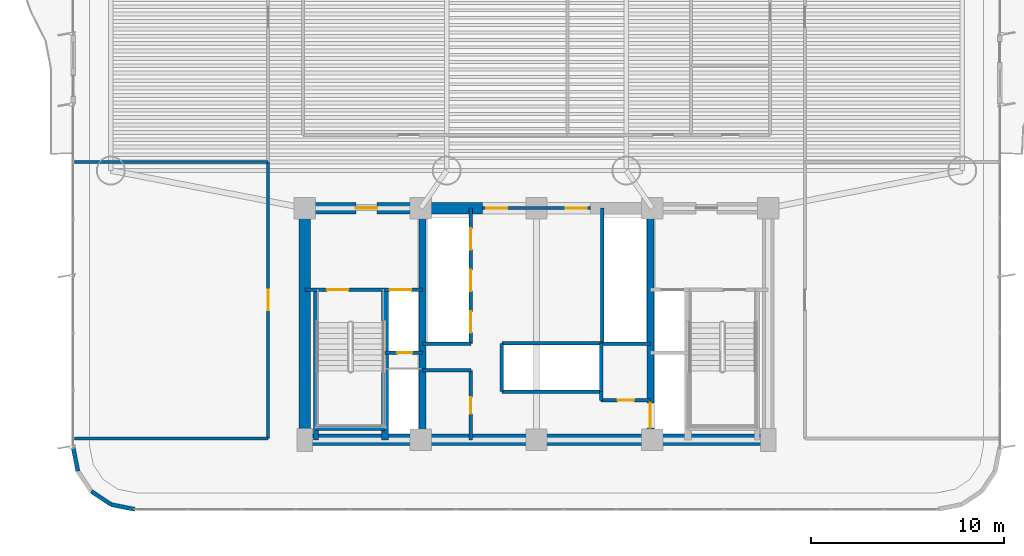
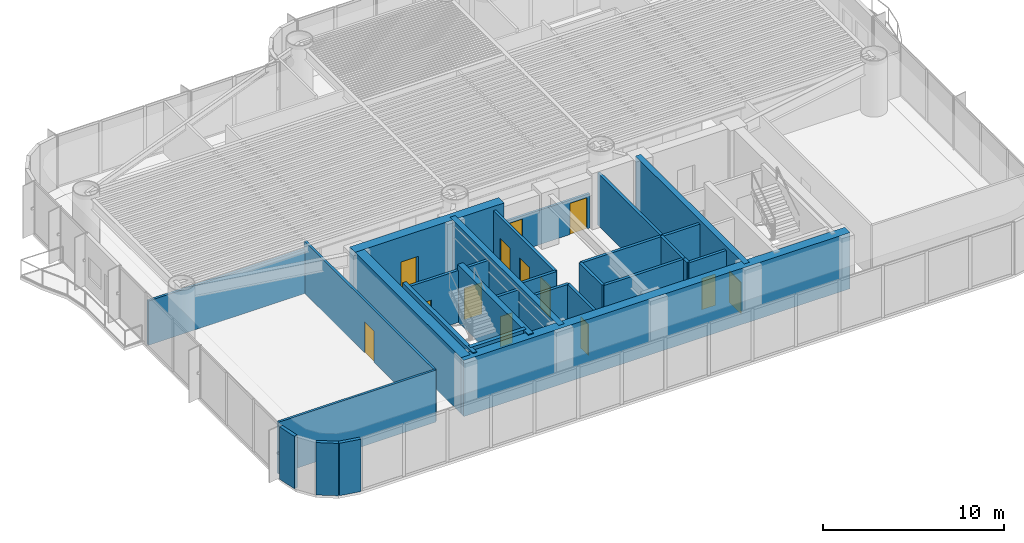
# One storey, part 10 of 16: 29 walls, 13 doors, 13 openings.
"""IFC4 building model written with IfcOpenShell, lengths in metres."""

from ifc_helpers import new_model, si_unit, direction, frame, frame_2d, origin, origin_2d, place, context, subcontext, project, spatial, rectangle, extrude, source, transform, mapped, material, layer, layer_set, type_object, element, fill, save


model = new_model("IFC4")

# Units and contexts
model_context = context("Model", 3, precision=1e-05, world=origin(), true_north=direction((0.0, 1.0)))
body_context = subcontext(model_context, "Body", "Model", "MODEL_VIEW")
ifc_project = project(units=[si_unit("LENGTHUNIT", "METRE"), si_unit("AREAUNIT", "SQUARE_METRE"), si_unit("VOLUMEUNIT", "CUBIC_METRE"), si_unit("PLANEANGLEUNIT", "RADIAN"), si_unit("MASSUNIT", "GRAM", prefix="KILO")], contexts=[model_context])

# Site, building, storey
site_placement = place(None, origin())
site = spatial("IfcSite", under=ifc_project, at=site_placement, CompositionType="ELEMENT")
building_placement = place(site_placement, origin())
building = spatial("IfcBuilding", under=site, at=building_placement, Name="Brelvock Crest Care Tower", CompositionType="ELEMENT")
storey_placement = place(building_placement, frame((0.0, 0.0, 61.02001953125)))
storey = spatial("IfcBuildingStorey", under=building, at=storey_placement, Name="L15", CompositionType="ELEMENT", Elevation=61.02001953125)

# Walls
ifc_material_1 = material(Name="Concrete S80 (80 MPa)", Category="concrete")
ifc_layer_1 = layer(ifc_material_1, 0.60009765625, Name="WL-CS1")
ifc_layer_set_1 = layer_set([ifc_layer_1], Name="Concrete S80 (80 MPa)")
wall_type_1 = type_object("IfcWallType", Name="WL-CS1", PredefinedType="SHEAR", material=ifc_layer_set_1)
wall_1_placement = place(storey_placement, frame((48.300048828125, 6.0, 0.0), z_axis=(0.0, 0.0, 1.0), x_axis=(-1.0, 0.0, 0.0)))
element("IfcWall", 1, at=wall_1_placement, inside=storey, type_object=wall_type_1, Name="L15 Core South Shear Wall", PredefinedType="SHEAR", context=body_context, shape_type="SweptSolid", body=[
    extrude(rectangle(XDim=24.60009765625, YDim=0.60009765625, at=frame_2d((12.300048828125, 0.0))), origin(), (0.0, 0.0, 1.0), 3.780029296875),
])
wall_2_placement = place(storey_placement, frame((24.0, 6.0, 0.0), z_axis=(0.0, 0.0, 1.0), x_axis=(0.0, 1.0, 0.0)))
element("IfcWall", 2, at=wall_2_placement, inside=storey, type_object=wall_type_1, Name="L15 Core West Shear Wall", PredefinedType="SHEAR", context=body_context, shape_type="SweptSolid", body=[
    extrude(rectangle(XDim=12.0, YDim=0.60009765625, at=frame_2d((6.0, 0.0))), origin(), (0.0, 0.0, 1.0), 3.780029296875),
])

# Wall, opening, door
wall_3_placement = place(storey_placement, frame((23.699951171875, 18.0, 0.0), z_axis=(0.0, 0.0, 1.0), x_axis=(1.0, 0.0, 0.0)))
wall_3 = element("IfcWall", 3, at=wall_3_placement, inside=storey, type_object=wall_type_1, Name="L15 Core North-West Shear Wall", PredefinedType="SHEAR", context=body_context, shape_type="SweptSolid", body=[
    extrude(rectangle(XDim=9.5, YDim=0.60009765625, at=frame_2d((4.75, 0.0))), origin(), (0.0, 0.0, 1.0), 3.780029296875),
])
opening_1_placement = place(wall_3_placement, frame((2.949951171875, 0.0, 0.0)))
opening_1 = element("IfcOpeningElement", 4, at=opening_1_placement, cuts=wall_3, Name="Opening FD-1", PredefinedType="OPENING", context=body_context, shape_type="SweptSolid", body=[
    extrude(rectangle(XDim=1.10009765625, YDim=2.10009765625, at=origin_2d()), frame((0.550048828125, 0.31005859375, 1.050048828125), z_axis=(0.0, -1.0, 0.0), x_axis=(1.0, 0.0, 0.0)), (0.0, 0.0, 1.0), 0.6201171875),
])
ifc_material_2 = material(Name="Steel Grade 350", Category="steel")
door_type_1 = type_object("IfcDoorType", Name="DR-FFL1", OperationType="NOTDEFINED", PredefinedType="DOOR", material=ifc_material_2)
shared_shape_1 = source(origin(), body_context, "Body", "SweptSolid", [
    extrude(rectangle(XDim=1.10009765625, YDim=2.10009765625, at=origin_2d()), frame((0.550048828125, 0.02490234375, 1.050048828125), z_axis=(0.0, -1.0, 0.0), x_axis=(1.0, 0.0, 0.0)), (0.0, 0.0, 1.0), 0.050048828125),
])
door_1_placement = place(opening_1_placement, origin())
door_1 = element("IfcDoor", 5, at=door_1_placement, inside=storey, type_object=door_type_1, Name="L15 Firefighting Lobby FFL-1 Exit Door", OperationType="SINGLE_SWING_LEFT", OverallHeight=2.10009765625, OverallWidth=1.10009765625, PredefinedType="DOOR", context=body_context, shape_type="MappedRepresentation", body=[
    mapped(shared_shape_1, transform((0.0, 0.0, 0.0), x_axis=(1.0, 0.0, 0.0), y_axis=(0.0, 1.0, 0.0), z_axis=(0.0, 0.0, 1.0), scale=1.0)),
])
fill(opening_1, door_1)

# Wall
ifc_layer_2 = layer(ifc_material_1, 0.35009765625, Name="WL-CS5")
ifc_layer_set_2 = layer_set([ifc_layer_2], Name="Concrete S80 (80 MPa)")
wall_type_2 = type_object("IfcWallType", Name="WL-CS5", PredefinedType="SHEAR", material=ifc_layer_set_2)
wall_4_placement = place(storey_placement, frame((30.10009765625, 6.0, 0.0), z_axis=(0.0, 0.0, 1.0), x_axis=(0.0, 1.0, 0.0)))
element("IfcWall", 6, at=wall_4_placement, inside=storey, type_object=wall_type_2, Name="L15 Core Internal Web Wall West", PredefinedType="SHEAR", context=body_context, shape_type="SweptSolid", body=[
    extrude(rectangle(XDim=12.0, YDim=0.35009765625, at=frame_2d((6.0, 0.0))), origin(), (0.0, 0.0, 1.0), 3.780029296875),
])

# Wall, opening, door
wall_5_placement = place(storey_placement, frame((41.89990234375, 18.0, 0.0), z_axis=(0.0, 0.0, 1.0), x_axis=(0.0, -1.0, 0.0)))
wall_5 = element("IfcWall", 7, at=wall_5_placement, inside=storey, type_object=wall_type_2, Name="L15 Core Internal Web Wall East", PredefinedType="SHEAR", context=body_context, shape_type="SweptSolid", body=[
    extrude(rectangle(XDim=12.0, YDim=0.35009765625, at=frame_2d((6.0, 0.0))), origin(), (0.0, 0.0, 1.0), 3.780029296875),
])
opening_2_placement = place(wall_5_placement, frame((10.080078125, 0.0, 0.0)))
opening_2 = element("IfcOpeningElement", 8, at=opening_2_placement, cuts=wall_5, Name="Opening LD-S", PredefinedType="OPENING", context=body_context, shape_type="SweptSolid", body=[
    extrude(rectangle(XDim=1.300048828125, YDim=2.10009765625, at=origin_2d()), frame((0.64990234375, 0.18505859375, 1.050048828125), z_axis=(0.0, -1.0, 0.0), x_axis=(1.0, 0.0, 0.0)), (0.0, 0.0, 1.0), 0.3701171875),
])
door_type_2 = type_object("IfcDoorType", Name="DR-LDS1", OperationType="NOTDEFINED", PredefinedType="DOOR", material=ifc_material_2)
shared_shape_2 = source(origin(), body_context, "Body", "SweptSolid", [
    extrude(rectangle(XDim=1.300048828125, YDim=2.10009765625, at=origin_2d()), frame((0.64990234375, 0.02490234375, 1.050048828125), z_axis=(0.0, -1.0, 0.0), x_axis=(1.0, 0.0, 0.0)), (0.0, 0.0, 1.0), 0.050048828125),
])
door_2_placement = place(opening_2_placement, origin())
door_2 = element("IfcDoor", 9, at=door_2_placement, inside=storey, type_object=door_type_2, Name="L15 Clinical Bed Lift SL-1 Landing Door", OperationType="SLIDING_TO_LEFT", OverallHeight=2.10009765625, OverallWidth=1.300048828125, PredefinedType="DOOR", context=body_context, shape_type="MappedRepresentation", body=[
    mapped(shared_shape_2, transform((0.0, 0.0, 0.0), x_axis=(1.0, 0.0, 0.0), y_axis=(0.0, 1.0, 0.0), z_axis=(0.0, 0.0, 1.0), scale=1.0)),
])
fill(opening_2, door_2)

# Walls
wall_6_placement = place(storey_placement, frame((28.14990234375, 6.0, 0.0), z_axis=(0.0, 0.0, 1.0), x_axis=(0.0, 1.0, 0.0)))
element("IfcWall", 10, at=wall_6_placement, inside=storey, type_object=wall_type_2, Name="L15 Core Stair ST-1 East Shear Wall", PredefinedType="SHEAR", context=body_context, shape_type="SweptSolid", body=[
    extrude(rectangle(XDim=7.780029296875, YDim=0.35009765625, at=frame_2d((3.89013671875, 0.0))), origin(), (0.0, 0.0, 1.0), 3.85009765625),
])
ifc_layer_3 = layer(ifc_material_1, 0.25, Name="WL-CS6")
ifc_layer_set_3 = layer_set([ifc_layer_3], Name="Concrete S80 (80 MPa)")
wall_type_3 = type_object("IfcWallType", Name="WL-CS6", PredefinedType="SHEAR", material=ifc_layer_set_3)
wall_7_placement = place(storey_placement, frame((24.580078125, 6.0, 0.0), z_axis=(0.0, 0.0, 1.0), x_axis=(0.0, 1.0, 0.0)))
element("IfcWall", 11, at=wall_7_placement, inside=storey, type_object=wall_type_3, Name="L15 Core Stair ST-1 West Shear Wall", PredefinedType="SHEAR", context=body_context, shape_type="SweptSolid", body=[
    extrude(rectangle(XDim=7.780029296875, YDim=0.25, at=frame_2d((3.89013671875, 0.0))), origin(), (0.0, 0.0, 1.0), 3.85009765625),
])
wall_8_placement = place(storey_placement, frame((24.580078125, 6.6201171875, 0.0), z_axis=(0.0, 0.0, 1.0), x_axis=(1.0, 0.0, 0.0)))
element("IfcWall", 12, at=wall_8_placement, inside=storey, type_object=wall_type_3, Name="L15 Core Stair ST-1 South Shear Wall", PredefinedType="SHEAR", context=body_context, shape_type="SweptSolid", body=[
    extrude(rectangle(XDim=3.56982421875, YDim=0.25, at=frame_2d((1.784912109375, 0.0))), origin(), (0.0, 0.0, 1.0), 3.85009765625),
])
ifc_material_3 = material(Name="Precast concrete N40 (40 MPa)", Category="concrete")
ifc_layer_4 = layer(ifc_material_3, 0.215087890625, Name="WL-EX2")
ifc_layer_set_4 = layer_set([ifc_layer_4], Name="Precast concrete N40 (40 MPa)")
wall_type_4 = type_object("IfcWallType", Name="WL-EX2", PredefinedType="SOLIDWALL", material=ifc_layer_set_4)
for number, where, z_axis, x_axis, name in (
    (13, (15.199951171875, 2.39990234375, 0.0), (0.0, 0.0, 1.0), (-0.980775717779, 0.195138390419, 0.0), "L15 Rounded Corner Wall 09"),
    (14, (13.975341796875, 2.6435546875, 0.0), (0.0, 0.0, 1.0), (-0.831387912822, 0.555692485475, 0.0), "L15 Rounded Corner Wall 10"),
    (15, (12.24365234375, 4.37548828125, 0.0), (0.0, 0.0, 1.0), (-0.195138390419, 0.980775717779, 0.0), "L15 Rounded Corner Wall 12"),
):
    element("IfcWall", number, at=place(storey_placement, frame(where, z_axis=z_axis, x_axis=x_axis)), inside=storey, type_object=wall_type_4, Name=name, PredefinedType="SOLIDWALL", context=body_context, shape_type="SweptSolid", body=[
        extrude(rectangle(XDim=1.24853515625, YDim=0.215087890625, at=frame_2d((0.624267578125, 0.0))), origin(), (0.0, 0.0, 1.0), 3.530029296875),
    ])

# Wall, openings, doors
ifc_material_4 = material(Name="Masonry Blockwork Acoustic Partition", Category="masonry")
ifc_layer_5 = layer(ifc_material_4, 0.14990234375, Name="WL-INT1")
ifc_layer_set_5 = layer_set([ifc_layer_5], Name="Masonry Blockwork Acoustic Partition")
wall_type_5 = type_object("IfcWallType", Name="WL-INT1", PredefinedType="PARTITIONING", material=ifc_layer_set_5)
wall_9_placement = place(storey_placement, frame((33.199951171875, 18.0, 0.0), z_axis=(0.0, 0.0, 1.0), x_axis=(1.0, 0.0, 0.0)))
wall_9 = element("IfcWall", 16, at=wall_9_placement, inside=storey, type_object=wall_type_5, Name="L15 Interior Wall WL-CORE-NPORT-L15", PredefinedType="PARTITIONING", context=body_context, shape_type="SweptSolid", body=[
    extrude(rectangle(XDim=5.60009765625, YDim=0.14990234375, at=frame_2d((2.800048828125, 0.0))), origin(), (0.0, 0.0, 1.0), 2.31494140625),
])
opening_3_placement = place(wall_9_placement, frame((0.18994140625, 0.0, 0.0)))
opening_3 = element("IfcOpeningElement", 17, at=opening_3_placement, cuts=wall_9, Name="Opening FD-1", PredefinedType="OPENING", context=body_context, shape_type="SweptSolid", body=[
    extrude(rectangle(XDim=1.10009765625, YDim=2.10009765625, at=origin_2d()), frame((0.550048828125, 0.0849609375, 1.050048828125), z_axis=(0.0, -1.0, 0.0), x_axis=(1.0, 0.0, 0.0)), (0.0, 0.0, 1.0), 0.169921875),
])
opening_4_placement = place(wall_9_placement, frame((4.31005859375, 0.0, 0.0)))
opening_4 = element("IfcOpeningElement", 18, at=opening_4_placement, cuts=wall_9, Name="Opening FD-1", PredefinedType="OPENING", context=body_context, shape_type="SweptSolid", body=[
    extrude(rectangle(XDim=1.10009765625, YDim=2.10009765625, at=origin_2d()), frame((0.550048828125, 0.0849609375, 1.050048828125), z_axis=(0.0, -1.0, 0.0), x_axis=(1.0, 0.0, 0.0)), (0.0, 0.0, 1.0), 0.169921875),
])
door_3_placement = place(opening_3_placement, origin())
door_3 = element("IfcDoor", 19, at=door_3_placement, inside=storey, type_object=door_type_1, Name="L15 Lift Lobby North Smoke Door West", OperationType="SINGLE_SWING_LEFT", OverallHeight=2.10009765625, OverallWidth=1.10009765625, PredefinedType="DOOR", context=body_context, shape_type="MappedRepresentation", body=[
    mapped(shared_shape_1, transform((0.0, 0.0, 0.0), x_axis=(1.0, 0.0, 0.0), y_axis=(0.0, 1.0, 0.0), z_axis=(0.0, 0.0, 1.0), scale=1.0)),
])
fill(opening_3, door_3)
door_4_placement = place(opening_4_placement, origin())
door_4 = element("IfcDoor", 20, at=door_4_placement, inside=storey, type_object=door_type_1, Name="L15 Lift Lobby North Smoke Door East", OperationType="SINGLE_SWING_RIGHT", OverallHeight=2.10009765625, OverallWidth=1.10009765625, PredefinedType="DOOR", context=body_context, shape_type="MappedRepresentation", body=[
    mapped(shared_shape_1, transform((0.0, 0.0, 0.0), x_axis=(1.0, 0.0, 0.0), y_axis=(0.0, 1.0, 0.0), z_axis=(0.0, 0.0, 1.0), scale=1.0)),
])
fill(opening_4, door_4)

# Walls
wall_10_placement = place(storey_placement, frame((12.080078125, 6.080078125, 0.0), z_axis=(0.0, 0.0, 1.0), x_axis=(1.0, 0.0, 0.0)))
element("IfcWall", 21, at=wall_10_placement, inside=storey, type_object=wall_type_5, Name="L15 Interior Wall WL-BX-L15-WS1-S", PredefinedType="PARTITIONING", context=body_context, shape_type="SweptSolid", body=[
    extrude(rectangle(XDim=10.02001953125, YDim=0.14990234375, at=frame_2d((5.010009765625, 0.0))), origin(), (0.0, 0.0, 1.0), 3.5),
])
wall_11_placement = place(storey_placement, frame((12.080078125, 20.39990234375, 0.0), z_axis=(0.0, 0.0, 1.0), x_axis=(1.0, 0.0, 0.0)))
element("IfcWall", 22, at=wall_11_placement, inside=storey, type_object=wall_type_5, Name="L15 Interior Wall WL-BX-L15-WS1-N", PredefinedType="PARTITIONING", context=body_context, shape_type="SweptSolid", body=[
    extrude(rectangle(XDim=10.02001953125, YDim=0.14990234375, at=frame_2d((5.010009765625, 0.0))), origin(), (0.0, 0.0, 1.0), 2.98193359375),
])

# Wall, opening, door
wall_12_placement = place(storey_placement, frame((22.10009765625, 6.080078125, 0.0), z_axis=(0.0, 0.0, 1.0), x_axis=(0.0, 1.0, 0.0)))
wall_12 = element("IfcWall", 23, at=wall_12_placement, inside=storey, type_object=wall_type_5, Name="L15 Interior Wall WL-RM-L15-WS1", PredefinedType="PARTITIONING", context=body_context, shape_type="SweptSolid", body=[
    extrude(rectangle(XDim=14.31982421875, YDim=0.14990234375, at=frame_2d((7.159912109375, 0.0))), origin(), (0.0, 0.0, 1.0), 3.5),
])
opening_5_placement = place(wall_12_placement, frame((6.635009765625, 0.0, 0.0)))
opening_5 = element("IfcOpeningElement", 24, at=opening_5_placement, cuts=wall_12, Name="Opening CLD-1", PredefinedType="OPENING", context=body_context, shape_type="SweptSolid", body=[
    extrude(rectangle(XDim=1.050048828125, YDim=2.10009765625, at=origin_2d()), frame((0.52490234375, 0.0849609375, 1.050048828125), z_axis=(0.0, -1.0, 0.0), x_axis=(1.0, 0.0, 0.0)), (0.0, 0.0, 1.0), 0.169921875),
])
ifc_material_5 = material(Name="Engineered Hardwood Timber", Category="wood")
door_type_3 = type_object("IfcDoorType", Name="DR-CLN1", OperationType="NOTDEFINED", PredefinedType="DOOR", material=ifc_material_5)
shared_shape_3 = source(origin(), body_context, "Body", "SweptSolid", [
    extrude(rectangle(XDim=1.050048828125, YDim=2.10009765625, at=origin_2d()), frame((0.52490234375, 0.02490234375, 1.050048828125), z_axis=(0.0, -1.0, 0.0), x_axis=(1.0, 0.0, 0.0)), (0.0, 0.0, 1.0), 0.050048828125),
])
door_5_placement = place(opening_5_placement, origin())
door_5 = element("IfcDoor", 25, at=door_5_placement, inside=storey, type_object=door_type_3, Name="L15 Senior Creative Arts Studio Door WS1", OperationType="SINGLE_SWING_LEFT", OverallHeight=2.10009765625, OverallWidth=1.050048828125, PredefinedType="DOOR", context=body_context, shape_type="MappedRepresentation", body=[
    mapped(shared_shape_3, transform((0.0, 0.0, 0.0), x_axis=(1.0, 0.0, 0.0), y_axis=(0.0, 1.0, 0.0), z_axis=(0.0, 0.0, 1.0), scale=1.0)),
])
fill(opening_5, door_5)

# Walls
ifc_layer_6 = layer(ifc_material_4, 0.179931640625, Name="WL-SHF1")
ifc_layer_set_6 = layer_set([ifc_layer_6], Name="Masonry Blockwork Acoustic Partition")
wall_type_6 = type_object("IfcWallType", Name="WL-SHF1", PredefinedType="PARTITIONING", material=ifc_layer_set_6)
for number, where, z_axis, x_axis, name in (
    (26, (34.199951171875, 11.0, 0.0), (0.0, 0.0, 1.0), (1.0, 0.0, 0.0), "L15 Interior Wall WL-PLM-SHF-L15"),
    (27, (34.199951171875, 8.5, 0.0), (0.0, 0.0, 1.0), (1.0, 0.0, 0.0), "L15 Interior Wall WL-PLM-S-L15"),
):
    element("IfcWall", number, at=place(storey_placement, frame(where, z_axis=z_axis, x_axis=x_axis)), inside=storey, type_object=wall_type_6, Name=name, PredefinedType="PARTITIONING", context=body_context, shape_type="SweptSolid", body=[
        extrude(rectangle(XDim=5.150146484375, YDim=0.179931640625, at=frame_2d((2.5751953125, 0.0))), origin(), (0.0, 0.0, 1.0), 3.5),
    ])
for number, where, z_axis, x_axis, name in (
    (28, (34.199951171875, 8.5, 0.0), (0.0, 0.0, 1.0), (0.0, 1.0, 0.0), "L15 Interior Wall WL-PLM-W-L15"),
    (29, (39.35009765625, 8.5, 0.0), (0.0, 0.0, 1.0), (0.0, 1.0, 0.0), "L15 Interior Wall WL-PLM-E-L15"),
):
    element("IfcWall", number, at=place(storey_placement, frame(where, z_axis=z_axis, x_axis=x_axis)), inside=storey, type_object=wall_type_6, Name=name, PredefinedType="PARTITIONING", context=body_context, shape_type="SweptSolid", body=[
        extrude(rectangle(XDim=2.5, YDim=0.179931640625, at=frame_2d((1.25, 0.0))), origin(), (0.0, 0.0, 1.0), 3.5),
    ])
wall_13_placement = place(storey_placement, frame((39.39990234375, 11.0, 0.0), z_axis=(0.0, 0.0, 1.0), x_axis=(0.0, 1.0, 0.0)))
element("IfcWall", 30, at=wall_13_placement, inside=storey, type_object=wall_type_6, Name="L15 Interior Wall WL-PLH-SHF-L15", PredefinedType="PARTITIONING", context=body_context, shape_type="SweptSolid", body=[
    extrude(rectangle(XDim=7.0, YDim=0.179931640625, at=frame_2d((3.5, 0.0))), origin(), (0.0, 0.0, 1.0), 3.5),
])
for number, where, z_axis, x_axis, name in (
    (31, (30.10009765625, 10.97998046875, 0.0), (0.0, 0.0, 1.0), (1.0, 0.0, 0.0), "L15 Interior Wall WL-CSBW-N-L15"),
    (32, (30.10009765625, 9.60009765625, 0.0), (0.0, 0.0, 1.0), (1.0, 0.0, 0.0), "L15 Interior Wall WL-CSBW-S1-L15"),
):
    element("IfcWall", number, at=place(storey_placement, frame(where, z_axis=z_axis, x_axis=x_axis)), inside=storey, type_object=wall_type_6, Name=name, PredefinedType="PARTITIONING", context=body_context, shape_type="SweptSolid", body=[
        extrude(rectangle(XDim=2.5, YDim=0.179931640625, at=frame_2d((1.25, 0.0))), origin(), (0.0, 0.0, 1.0), 3.5),
    ])

# Wall, opening, door
wall_14_placement = place(storey_placement, frame((32.60009765625, 6.0, 0.0), z_axis=(0.0, 0.0, 1.0), x_axis=(0.0, 1.0, 0.0)))
wall_14 = element("IfcWall", 33, at=wall_14_placement, inside=storey, type_object=wall_type_6, Name="L15 Interior Wall WL-CSBW-E-L15", PredefinedType="PARTITIONING", context=body_context, shape_type="SweptSolid", body=[
    extrude(rectangle(XDim=3.60009765625, YDim=0.179931640625, at=frame_2d((1.800048828125, 0.0))), origin(), (0.0, 0.0, 1.0), 3.5),
])
opening_6_placement = place(wall_14_placement, frame((1.35009765625, 0.0, 0.0)))
opening_6 = element("IfcOpeningElement", 34, at=opening_6_placement, cuts=wall_14, Name="Opening ID-1", PredefinedType="OPENING", context=body_context, shape_type="SweptSolid", body=[
    extrude(rectangle(XDim=0.860107421875, YDim=2.10009765625, at=origin_2d()), frame((0.43017578125, 0.10009765625, 1.050048828125), z_axis=(0.0, -1.0, 0.0), x_axis=(1.0, 0.0, 0.0)), (0.0, 0.0, 1.0), 0.199951171875),
])
door_type_4 = type_object("IfcDoorType", Name="DR-INT1", OperationType="NOTDEFINED", PredefinedType="DOOR", material=ifc_material_5)
shared_shape_4 = source(origin(), body_context, "Body", "SweptSolid", [
    extrude(rectangle(XDim=0.860107421875, YDim=2.10009765625, at=origin_2d()), frame((0.43017578125, 0.02490234375, 1.050048828125), z_axis=(0.0, -1.0, 0.0), x_axis=(1.0, 0.0, 0.0)), (0.0, 0.0, 1.0), 0.050048828125),
])
door_6_placement = place(opening_6_placement, origin())
door_6 = element("IfcDoor", 35, at=door_6_placement, inside=storey, type_object=door_type_4, Name="DR-CSBW-L15", OperationType="SINGLE_SWING_LEFT", OverallHeight=2.10009765625, OverallWidth=0.860107421875, PredefinedType="DOOR", context=body_context, shape_type="MappedRepresentation", body=[
    mapped(shared_shape_4, transform((0.0, 0.0, 0.0), x_axis=(1.0, 0.0, 0.0), y_axis=(0.0, 1.0, 0.0), z_axis=(0.0, 0.0, 1.0), scale=1.0)),
])
fill(opening_6, door_6)

# Walls
wall_15_placement = place(storey_placement, frame((39.35009765625, 10.97998046875, 0.0), z_axis=(0.0, 0.0, 1.0), x_axis=(1.0, 0.0, 0.0)))
element("IfcWall", 36, at=wall_15_placement, inside=storey, type_object=wall_type_6, Name="L15 Interior Wall WL-CSBE-N-L15", PredefinedType="PARTITIONING", context=body_context, shape_type="SweptSolid", body=[
    extrude(rectangle(XDim=2.5498046875, YDim=0.179931640625, at=frame_2d((1.27490234375, 0.0))), origin(), (0.0, 0.0, 1.0), 3.5),
])
wall_16_placement = place(storey_placement, frame((39.35009765625, 8.050048828125, 0.0), z_axis=(0.0, 0.0, 1.0), x_axis=(0.0, 1.0, 0.0)))
element("IfcWall", 37, at=wall_16_placement, inside=storey, type_object=wall_type_6, Name="L15 Interior Wall WL-CSBE-W-L15", PredefinedType="PARTITIONING", context=body_context, shape_type="SweptSolid", body=[
    extrude(rectangle(XDim=0.449951171875, YDim=0.179931640625, at=frame_2d((0.22509765625, 0.0))), origin(), (0.0, 0.0, 1.0), 3.5),
])

# Wall, opening, door
wall_17_placement = place(storey_placement, frame((39.35009765625, 8.050048828125, 0.0), z_axis=(0.0, 0.0, 1.0), x_axis=(1.0, 0.0, 0.0)))
wall_17 = element("IfcWall", 38, at=wall_17_placement, inside=storey, type_object=wall_type_6, Name="L15 Interior Wall WL-CSBE-S-L15", PredefinedType="PARTITIONING", context=body_context, shape_type="SweptSolid", body=[
    extrude(rectangle(XDim=2.5498046875, YDim=0.179931640625, at=frame_2d((1.27490234375, 0.0))), origin(), (0.0, 0.0, 1.0), 3.5),
])
opening_7_placement = place(wall_17_placement, frame((0.85009765625, 0.0, 0.0)))
opening_7 = element("IfcOpeningElement", 39, at=opening_7_placement, cuts=wall_17, Name="Opening ID-1", PredefinedType="OPENING", context=body_context, shape_type="SweptSolid", body=[
    extrude(rectangle(XDim=0.860107421875, YDim=2.10009765625, at=origin_2d()), frame((0.43017578125, 0.10009765625, 1.050048828125), z_axis=(0.0, -1.0, 0.0), x_axis=(1.0, 0.0, 0.0)), (0.0, 0.0, 1.0), 0.199951171875),
])
door_7_placement = place(opening_7_placement, origin())
door_7 = element("IfcDoor", 40, at=door_7_placement, inside=storey, type_object=door_type_4, Name="DR-CSBE-L15", OperationType="SINGLE_SWING_LEFT", OverallHeight=2.10009765625, OverallWidth=0.860107421875, PredefinedType="DOOR", context=body_context, shape_type="MappedRepresentation", body=[
    mapped(shared_shape_4, transform((0.0, 0.0, 0.0), x_axis=(1.0, 0.0, 0.0), y_axis=(0.0, 1.0, 0.0), z_axis=(0.0, 0.0, 1.0), scale=1.0)),
])
fill(opening_7, door_7)

# Wall, openings, doors
wall_18_placement = place(storey_placement, frame((24.0, 13.780029296875, 0.0), z_axis=(0.0, 0.0, 1.0), x_axis=(1.0, 0.0, 0.0)))
wall_18 = element("IfcWall", 41, at=wall_18_placement, inside=storey, type_object=wall_type_6, Name="L15 Interior Wall WL-ST1-N-L15", PredefinedType="PARTITIONING", context=body_context, shape_type="SweptSolid", body=[
    extrude(rectangle(XDim=6.10009765625, YDim=0.179931640625, at=frame_2d((3.050048828125, 0.0))), origin(), (0.0, 0.0, 1.0), 3.5),
])
opening_8_placement = place(wall_18_placement, frame((1.14990234375, 0.0, 0.0)))
opening_8 = element("IfcOpeningElement", 42, at=opening_8_placement, cuts=wall_18, Name="Opening SD-1", PredefinedType="OPENING", context=body_context, shape_type="SweptSolid", body=[
    extrude(rectangle(XDim=1.10009765625, YDim=2.10009765625, at=origin_2d()), frame((0.550048828125, 0.10009765625, 1.050048828125), z_axis=(0.0, -1.0, 0.0), x_axis=(1.0, 0.0, 0.0)), (0.0, 0.0, 1.0), 0.199951171875),
])
opening_9_placement = place(wall_18_placement, frame((4.39990234375, 0.0, 0.0)))
opening_9 = element("IfcOpeningElement", 43, at=opening_9_placement, cuts=wall_18, Name="Opening LD", PredefinedType="OPENING", context=body_context, shape_type="SweptSolid", body=[
    extrude(rectangle(XDim=1.10009765625, YDim=2.10009765625, at=origin_2d()), frame((0.550048828125, 0.10009765625, 1.050048828125), z_axis=(0.0, -1.0, 0.0), x_axis=(1.0, 0.0, 0.0)), (0.0, 0.0, 1.0), 0.199951171875),
])
door_type_5 = type_object("IfcDoorType", Name="DR-ST1", OperationType="NOTDEFINED", PredefinedType="DOOR", material=ifc_material_2)
shared_shape_5 = source(origin(), body_context, "Body", "SweptSolid", [
    extrude(rectangle(XDim=1.10009765625, YDim=2.10009765625, at=origin_2d()), frame((0.550048828125, 0.02490234375, 1.050048828125), z_axis=(0.0, -1.0, 0.0), x_axis=(1.0, 0.0, 0.0)), (0.0, 0.0, 1.0), 0.050048828125),
])
door_8_placement = place(opening_8_placement, origin())
door_8 = element("IfcDoor", 44, at=door_8_placement, inside=storey, type_object=door_type_5, Name="L15 Fire Stair ST-1 Door", OperationType="SINGLE_SWING_LEFT", OverallHeight=2.10009765625, OverallWidth=1.10009765625, PredefinedType="DOOR", context=body_context, shape_type="MappedRepresentation", body=[
    mapped(shared_shape_5, transform((0.0, 0.0, 0.0), x_axis=(1.0, 0.0, 0.0), y_axis=(0.0, 1.0, 0.0), z_axis=(0.0, 0.0, 1.0), scale=1.0)),
])
fill(opening_8, door_8)
door_type_6 = type_object("IfcDoorType", Name="DR-LD1", OperationType="NOTDEFINED", PredefinedType="DOOR", material=ifc_material_2)
shared_shape_6 = source(origin(), body_context, "Body", "SweptSolid", [
    extrude(rectangle(XDim=1.10009765625, YDim=2.10009765625, at=origin_2d()), frame((0.550048828125, 0.02490234375, 1.050048828125), z_axis=(0.0, -1.0, 0.0), x_axis=(1.0, 0.0, 0.0)), (0.0, 0.0, 1.0), 0.050048828125),
])
door_9_placement = place(opening_9_placement, origin())
door_9 = element("IfcDoor", 45, at=door_9_placement, inside=storey, type_object=door_type_6, Name="L15 Firefighting Lift FFL-1 Landing Door", OperationType="SLIDING_TO_LEFT", OverallHeight=2.10009765625, OverallWidth=1.10009765625, PredefinedType="DOOR", context=body_context, shape_type="MappedRepresentation", body=[
    mapped(shared_shape_6, transform((0.0, 0.0, 0.0), x_axis=(1.0, 0.0, 0.0), y_axis=(0.0, 1.0, 0.0), z_axis=(0.0, 0.0, 1.0), scale=1.0)),
])
fill(opening_9, door_9)

# Wall, opening, door
wall_19_placement = place(storey_placement, frame((28.14990234375, 10.5, 0.0), z_axis=(0.0, 0.0, 1.0), x_axis=(1.0, 0.0, 0.0)))
wall_19 = element("IfcWall", 46, at=wall_19_placement, inside=storey, type_object=wall_type_6, Name="L15 Interior Wall WL-FFH1-S-L15", PredefinedType="PARTITIONING", context=body_context, shape_type="SweptSolid", body=[
    extrude(rectangle(XDim=1.9501953125, YDim=0.179931640625, at=frame_2d((0.97509765625, 0.0))), origin(), (0.0, 0.0, 1.0), 3.5),
])
opening_10_placement = place(wall_19_placement, frame((0.64990234375, 0.0, 0.0)))
opening_10 = element("IfcOpeningElement", 47, at=opening_10_placement, cuts=wall_19, Name="Opening RD-1", PredefinedType="OPENING", context=body_context, shape_type="SweptSolid", body=[
    extrude(rectangle(XDim=0.760009765625, YDim=2.050048828125, at=origin_2d()), frame((0.3798828125, 0.10009765625, 1.02490234375), z_axis=(0.0, -1.0, 0.0), x_axis=(1.0, 0.0, 0.0)), (0.0, 0.0, 1.0), 0.199951171875),
])
door_type_7 = type_object("IfcDoorType", Name="DR-RIS1", OperationType="NOTDEFINED", PredefinedType="DOOR", material=ifc_material_2)
shared_shape_7 = source(origin(), body_context, "Body", "SweptSolid", [
    extrude(rectangle(XDim=0.760009765625, YDim=2.050048828125, at=origin_2d()), frame((0.3798828125, 0.02490234375, 1.02490234375), z_axis=(0.0, -1.0, 0.0), x_axis=(1.0, 0.0, 0.0)), (0.0, 0.0, 1.0), 0.050048828125),
])
door_10_placement = place(opening_10_placement, origin())
door_10 = element("IfcDoor", 48, at=door_10_placement, inside=storey, type_object=door_type_7, Name="L15 Wet Fire Riser Access Door", OperationType="SINGLE_SWING_LEFT", OverallHeight=2.050048828125, OverallWidth=0.760009765625, PredefinedType="DOOR", context=body_context, shape_type="MappedRepresentation", body=[
    mapped(shared_shape_7, transform((0.0, 0.0, 0.0), x_axis=(1.0, 0.0, 0.0), y_axis=(0.0, 1.0, 0.0), z_axis=(0.0, 0.0, 1.0), scale=1.0)),
])
fill(opening_10, door_10)

# Wall, openings, doors
wall_20_placement = place(storey_placement, frame((32.60009765625, 11.0, 0.0), z_axis=(0.0, 0.0, 1.0), x_axis=(0.0, 1.0, 0.0)))
wall_20 = element("IfcWall", 49, at=wall_20_placement, inside=storey, type_object=wall_type_6, Name="L15 Interior Wall WL-PLL-BANK-L15", PredefinedType="PARTITIONING", context=body_context, shape_type="SweptSolid", body=[
    extrude(rectangle(XDim=7.0, YDim=0.179931640625, at=frame_2d((3.5, 0.0))), origin(), (0.0, 0.0, 1.0), 3.5),
])
opening_11_placement = place(wall_20_placement, frame((0.550048828125, 0.0, 0.0)))
opening_11 = element("IfcOpeningElement", 50, at=opening_11_placement, cuts=wall_20, Name="Opening LD", PredefinedType="OPENING", context=body_context, shape_type="SweptSolid", body=[
    extrude(rectangle(XDim=1.10009765625, YDim=2.10009765625, at=origin_2d()), frame((0.550048828125, 0.10009765625, 1.050048828125), z_axis=(0.0, -1.0, 0.0), x_axis=(1.0, 0.0, 0.0)), (0.0, 0.0, 1.0), 0.199951171875),
])
opening_12_placement = place(wall_20_placement, frame((2.699951171875, 0.0, 0.0)))
opening_12 = element("IfcOpeningElement", 51, at=opening_12_placement, cuts=wall_20, Name="Opening LD", PredefinedType="OPENING", context=body_context, shape_type="SweptSolid", body=[
    extrude(rectangle(XDim=1.10009765625, YDim=2.10009765625, at=origin_2d()), frame((0.550048828125, 0.10009765625, 1.050048828125), z_axis=(0.0, -1.0, 0.0), x_axis=(1.0, 0.0, 0.0)), (0.0, 0.0, 1.0), 0.199951171875),
])
opening_13_placement = place(wall_20_placement, frame((4.85009765625, 0.0, 0.0)))
opening_13 = element("IfcOpeningElement", 52, at=opening_13_placement, cuts=wall_20, Name="Opening LD", PredefinedType="OPENING", context=body_context, shape_type="SweptSolid", body=[
    extrude(rectangle(XDim=1.10009765625, YDim=2.10009765625, at=origin_2d()), frame((0.550048828125, 0.10009765625, 1.050048828125), z_axis=(0.0, -1.0, 0.0), x_axis=(1.0, 0.0, 0.0)), (0.0, 0.0, 1.0), 0.199951171875),
])
door_11_placement = place(opening_11_placement, origin())
door_11 = element("IfcDoor", 53, at=door_11_placement, inside=storey, type_object=door_type_6, Name="L15 Lift PL-L1 Landing Door", OperationType="SLIDING_TO_LEFT", OverallHeight=2.10009765625, OverallWidth=1.10009765625, PredefinedType="DOOR", context=body_context, shape_type="MappedRepresentation", body=[
    mapped(shared_shape_6, transform((0.0, 0.0, 0.0), x_axis=(1.0, 0.0, 0.0), y_axis=(0.0, 1.0, 0.0), z_axis=(0.0, 0.0, 1.0), scale=1.0)),
])
fill(opening_11, door_11)
door_12_placement = place(opening_12_placement, origin())
door_12 = element("IfcDoor", 54, at=door_12_placement, inside=storey, type_object=door_type_6, Name="L15 Lift PL-L2 Landing Door", OperationType="SLIDING_TO_LEFT", OverallHeight=2.10009765625, OverallWidth=1.10009765625, PredefinedType="DOOR", context=body_context, shape_type="MappedRepresentation", body=[
    mapped(shared_shape_6, transform((0.0, 0.0, 0.0), x_axis=(1.0, 0.0, 0.0), y_axis=(0.0, 1.0, 0.0), z_axis=(0.0, 0.0, 1.0), scale=1.0)),
])
fill(opening_12, door_12)
door_13_placement = place(opening_13_placement, origin())
door_13 = element("IfcDoor", 55, at=door_13_placement, inside=storey, type_object=door_type_6, Name="L15 Lift PL-L3 Landing Door", OperationType="SLIDING_TO_LEFT", OverallHeight=2.10009765625, OverallWidth=1.10009765625, PredefinedType="DOOR", context=body_context, shape_type="MappedRepresentation", body=[
    mapped(shared_shape_6, transform((0.0, 0.0, 0.0), x_axis=(1.0, 0.0, 0.0), y_axis=(0.0, 1.0, 0.0), z_axis=(0.0, 0.0, 1.0), scale=1.0)),
])
fill(opening_13, door_13)

save(model, "model.ifc")
